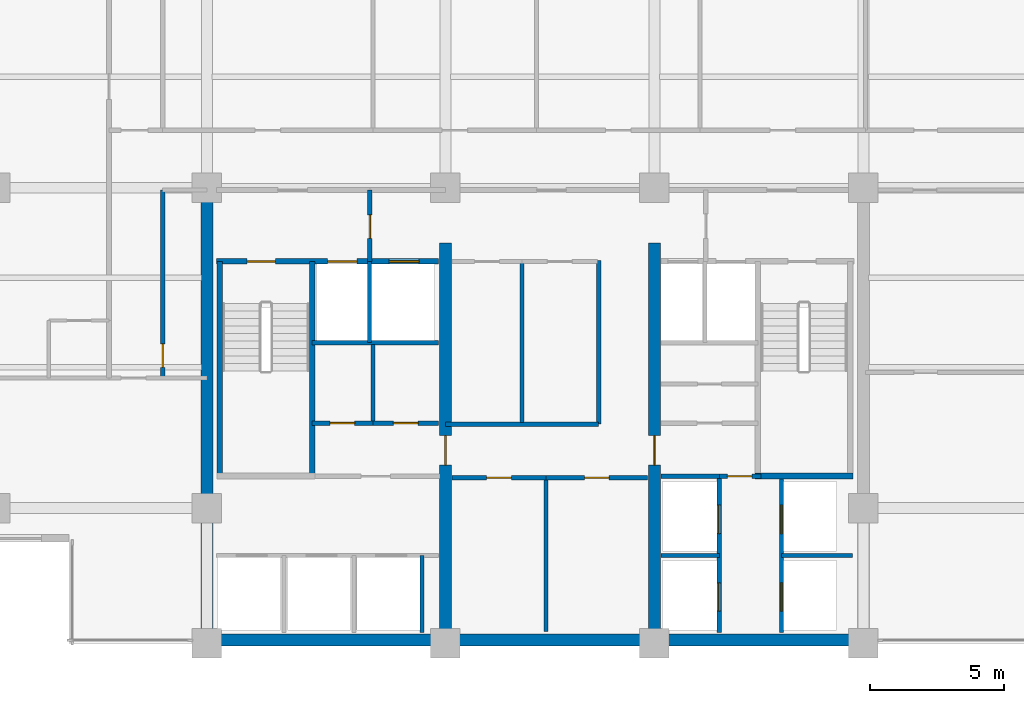
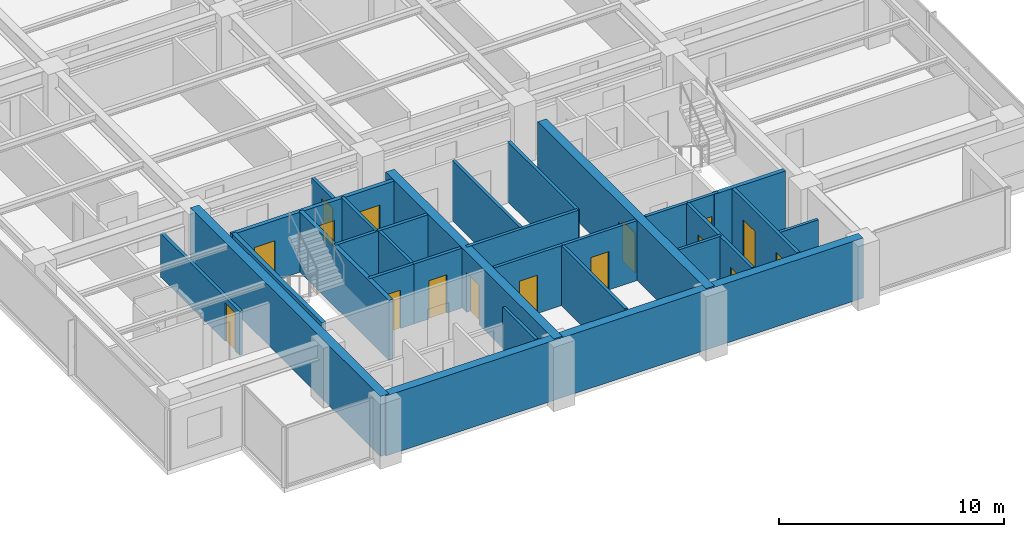
# One storey, part 7 of 14: 28 walls, 16 doors, 16 openings.
"""IFC4 building model written with IfcOpenShell, lengths in metres."""

from ifc_helpers import new_model, si_unit, direction, frame, frame_2d, origin, place, context, subcontext, project, spatial, rectangle, extrude, material, layer, layer_set, type_object, element, fill, save


model = new_model("IFC4")

# Units and contexts
model_context = context("Model", 3, precision=1e-05, world=origin(), true_north=direction((0.0, 1.0)))
body_context = subcontext(model_context, "Body", "Model", "MODEL_VIEW")
ifc_project = project(units=[si_unit("LENGTHUNIT", "METRE"), si_unit("AREAUNIT", "SQUARE_METRE"), si_unit("VOLUMEUNIT", "CUBIC_METRE"), si_unit("PLANEANGLEUNIT", "RADIAN"), si_unit("MASSUNIT", "GRAM", prefix="KILO")], contexts=[model_context])

# Site, building, storey
site_placement = place(None, origin())
site = spatial("IfcSite", under=ifc_project, at=site_placement, CompositionType="ELEMENT")
building_placement = place(site_placement, origin())
building = spatial("IfcBuilding", under=site, at=building_placement, Name="Qalmaran Belvedere Hotel", CompositionType="ELEMENT")
storey_placement = place(building_placement, frame((0.0, 0.0, 177.10009765625)))
storey = spatial("IfcBuildingStorey", under=building, at=storey_placement, Name="L45", CompositionType="ELEMENT", Elevation=177.10009765625)

# Wall
ifc_material_1 = material(Name="Concrete C50/60", Category="concrete")
ifc_layer_1 = layer(ifc_material_1, 0.449951171875, Name="Concrete C50/60")
ifc_layer_set_1 = layer_set([ifc_layer_1], Name="Concrete C50/60")
wall_type_1 = type_object("IfcWallType", Name="WL-CORE-450-C50", PredefinedType="SHEAR", material=ifc_layer_set_1)
wall_1_placement = place(storey_placement, frame((20.300048828125, 3.5, 0.0), z_axis=(0.0, 0.0, 1.0), x_axis=(0.0, 1.0, 0.0)))
element("IfcWall", 1, at=wall_1_placement, inside=storey, type_object=wall_type_1, Name="L45 West Core Shear Wall", PredefinedType="SHEAR", context=body_context, shape_type="SweptSolid", body=[
    extrude(rectangle(XDim=16.89990234375, YDim=0.449951171875, at=frame_2d((8.449951171875, 0.0))), origin(), (0.0, 0.0, 1.0), 3.25),
])

# Wall, opening, door
wall_2_placement = place(storey_placement, frame((29.199951171875, 3.5, 0.0), z_axis=(0.0, 0.0, 1.0), x_axis=(0.0, 1.0, 0.0)))
wall_2 = element("IfcWall", 2, at=wall_2_placement, inside=storey, type_object=wall_type_1, Name="L45 Core West Spine Shear Wall", PredefinedType="SHEAR", context=body_context, shape_type="SweptSolid", body=[
    extrude(rectangle(XDim=14.949951171875, YDim=0.449951171875, at=frame_2d((7.47509765625, 0.0))), origin(), (0.0, 0.0, 1.0), 3.25),
])
opening_1_placement = place(wall_2_placement, frame((7.75, 0.0, 0.0), z_axis=(0.0, 0.0, 1.0), x_axis=(-1.0, 0.0, 0.0)))
opening_1 = element("IfcOpeningElement", 3, at=opening_1_placement, cuts=wall_2, Name="Opening FD90", PredefinedType="OPENING", context=body_context, shape_type="SweptSolid", body=[
    extrude(rectangle(XDim=1.10009765625, YDim=2.14990234375, at=frame_2d((0.550048828125, 1.074951171875))), frame((0.0, 0.23486328125, 0.0), z_axis=(0.0, -1.0, 0.0), x_axis=(1.0, 0.0, 0.0)), (0.0, 0.0, 1.0), 0.469970703125),
])
ifc_material_2 = material(Name="Steel S355JR", Category="steel")
door_type_1 = type_object("IfcDoorType", Name="DR-FD90-1100X2150", OperationType="NOTDEFINED", PredefinedType="DOOR", material=ifc_material_2)
door_1_placement = place(opening_1_placement, origin())
door_1 = element("IfcDoor", 4, at=door_1_placement, inside=storey, type_object=door_type_1, Name="L45 Core West Cross-Lobby Door", OperationType="SINGLE_SWING_RIGHT", OverallHeight=2.14990234375, OverallWidth=1.10009765625, PredefinedType="DOOR", context=body_context, shape_type="SweptSolid", body=[
    extrude(rectangle(XDim=1.10009765625, YDim=2.14990234375, at=frame_2d((0.550048828125, 1.074951171875))), frame((0.0, 0.02490234375, 0.0), z_axis=(0.0, -1.0, 0.0), x_axis=(1.0, 0.0, 0.0)), (0.0, 0.0, 1.0), 0.050048828125),
])
fill(opening_1, door_1)

wall_3_placement = place(storey_placement, frame((37.0, 3.5, 0.0), z_axis=(0.0, 0.0, 1.0), x_axis=(0.0, 1.0, 0.0)))
wall_3 = element("IfcWall", 5, at=wall_3_placement, inside=storey, type_object=wall_type_1, Name="L45 Core East Spine Shear Wall", PredefinedType="SHEAR", context=body_context, shape_type="SweptSolid", body=[
    extrude(rectangle(XDim=14.949951171875, YDim=0.449951171875, at=frame_2d((7.47509765625, 0.0))), origin(), (0.0, 0.0, 1.0), 3.25),
])
opening_2_placement = place(wall_3_placement, frame((6.64990234375, 0.0, 0.0)))
opening_2 = element("IfcOpeningElement", 6, at=opening_2_placement, cuts=wall_3, Name="Opening FD90", PredefinedType="OPENING", context=body_context, shape_type="SweptSolid", body=[
    extrude(rectangle(XDim=1.10009765625, YDim=2.14990234375, at=frame_2d((0.550048828125, 1.074951171875))), frame((0.0, 0.23486328125, 0.0), z_axis=(0.0, -1.0, 0.0), x_axis=(1.0, 0.0, 0.0)), (0.0, 0.0, 1.0), 0.469970703125),
])
door_2_placement = place(opening_2_placement, origin())
door_2 = element("IfcDoor", 7, at=door_2_placement, inside=storey, type_object=door_type_1, Name="L45 Core East Cross-Lobby Door", OperationType="SINGLE_SWING_LEFT", OverallHeight=2.14990234375, OverallWidth=1.10009765625, PredefinedType="DOOR", context=body_context, shape_type="SweptSolid", body=[
    extrude(rectangle(XDim=1.10009765625, YDim=2.14990234375, at=frame_2d((0.550048828125, 1.074951171875))), frame((0.0, 0.02490234375, 0.0), z_axis=(0.0, -1.0, 0.0), x_axis=(1.0, 0.0, 0.0)), (0.0, 0.0, 1.0), 0.050048828125),
])
fill(opening_2, door_2)

# Walls
ifc_layer_2 = layer(ifc_material_1, 0.43994140625, Name="Concrete C50/60")
ifc_layer_set_2 = layer_set([ifc_layer_2], Name="Concrete C50/60")
wall_type_2 = type_object("IfcWallType", Name="WL-CORES-440-EXT", PredefinedType="SHEAR", material=ifc_layer_set_2)
wall_4_placement = place(storey_placement, frame((20.300048828125, 3.6298828125, 0.0), z_axis=(0.0, 0.0, 1.0), x_axis=(1.0, 0.0, 0.0)))
element("IfcWall", 8, at=wall_4_placement, inside=storey, type_object=wall_type_2, Name="L45 South Core Shear Wall", PredefinedType="SHEAR", context=body_context, shape_type="SweptSolid", body=[
    extrude(rectangle(XDim=24.5, YDim=0.43994140625, at=frame_2d((12.25, 0.0))), origin(), (0.0, 0.0, 1.0), 3.25),
])
ifc_material_3 = material(Name="Gypsum Stud Partition")
ifc_layer_3 = layer(ifc_material_3, 0.14990234375, Name="Gypsum Stud Partition")
ifc_layer_set_3 = layer_set([ifc_layer_3], Name="Gypsum Stud Partition")
wall_type_3 = type_object("IfcWallType", Name="WL-INT-150-EI120", PredefinedType="PARTITIONING", material=ifc_layer_set_3)
wall_5_placement = place(storey_placement, frame((26.360107421875, 14.719970703125, 0.0), z_axis=(0.0, 0.0, 1.0), x_axis=(0.0, 1.0, 0.0)))
element("IfcWall", 9, at=wall_5_placement, inside=storey, type_object=wall_type_3, Name="L45 Partition WL-FF1M-L45", PredefinedType="PARTITIONING", context=body_context, shape_type="SweptSolid", body=[
    extrude(rectangle(XDim=3.0400390625, YDim=0.14990234375, at=frame_2d((1.52001953125, 0.0))), origin(), (0.0, 0.0, 1.0), 3.25),
])
wall_6_placement = place(storey_placement, frame((28.320068359375, 3.89990234375, 0.0), z_axis=(0.0, 0.0, 1.0), x_axis=(0.0, 1.0, 0.0)))
element("IfcWall", 10, at=wall_6_placement, inside=storey, type_object=wall_type_3, Name="L45 Partition WL-POM3-L45", PredefinedType="PARTITIONING", context=body_context, shape_type="SweptSolid", body=[
    extrude(rectangle(XDim=2.880126953125, YDim=0.14990234375, at=frame_2d((1.43994140625, 0.0))), origin(), (0.0, 0.0, 1.0), 3.25),
])
wall_7_placement = place(storey_placement, frame((37.25, 6.780029296875, 0.0), z_axis=(0.0, 0.0, 1.0), x_axis=(1.0, 0.0, 0.0)))
element("IfcWall", 11, at=wall_7_placement, inside=storey, type_object=wall_type_3, Name="L45 Partition WL-PHMW-L45", PredefinedType="PARTITIONING", context=body_context, shape_type="SweptSolid", body=[
    extrude(rectangle(XDim=2.169921875, YDim=0.14990234375, at=frame_2d((1.0849609375, 0.0))), origin(), (0.0, 0.0, 1.0), 3.25),
])
wall_8_placement = place(storey_placement, frame((41.739990234375, 6.780029296875, 0.0), z_axis=(0.0, 0.0, 1.0), x_axis=(1.0, 0.0, 0.0)))
element("IfcWall", 12, at=wall_8_placement, inside=storey, type_object=wall_type_3, Name="L45 Partition WL-PHME-L45", PredefinedType="PARTITIONING", context=body_context, shape_type="SweptSolid", body=[
    extrude(rectangle(XDim=2.659912109375, YDim=0.14990234375, at=frame_2d((1.330078125, 0.0))), origin(), (0.0, 0.0, 1.0), 2.3798828125),
])
ifc_layer_4 = layer(ifc_material_3, 0.14990234375, Name="Gypsum Stud Partition")
ifc_layer_set_4 = layer_set([ifc_layer_4], Name="Gypsum Stud Partition")
wall_type_4 = type_object("IfcWallType", Name="WL-INT-150-EI60", PredefinedType="PARTITIONING", material=ifc_layer_set_4)
wall_9_placement = place(storey_placement, frame((26.490478515625, 11.719970703125, 0.0), z_axis=(0.0, 0.0, 1.0), x_axis=(0.0, 1.0, 0.0)))
element("IfcWall", 13, at=wall_9_placement, inside=storey, type_object=wall_type_4, Name="L45 Partition WL-L45-KWV1", PredefinedType="PARTITIONING", context=body_context, shape_type="SweptSolid", body=[
    extrude(rectangle(XDim=2.929931640625, YDim=0.14990234375, at=frame_2d((1.46484375, 0.0))), origin(), (0.0, 0.0, 1.0), 3.25),
])
wall_10_placement = place(storey_placement, frame((32.9541015625, 3.949951171875, 0.0), z_axis=(0.0, 0.0, 1.0), x_axis=(0.0, 1.0, 0.0)))
element("IfcWall", 14, at=wall_10_placement, inside=storey, type_object=wall_type_4, Name="L45 Partition WL-L45-KPLV1", PredefinedType="PARTITIONING", context=body_context, shape_type="SweptSolid", body=[
    extrude(rectangle(XDim=5.72998046875, YDim=0.14990234375, at=frame_2d((2.864990234375, 0.0))), origin(), (0.0, 0.0, 1.0), 3.25),
])
wall_11_placement = place(storey_placement, frame((32.056396484375, 11.739990234375, 0.0), z_axis=(0.0, 0.0, 1.0), x_axis=(0.0, 1.0, 0.0)))
element("IfcWall", 15, at=wall_11_placement, inside=storey, type_object=wall_type_4, Name="L45 Partition WL-L45-KPMV1", PredefinedType="PARTITIONING", context=body_context, shape_type="SweptSolid", body=[
    extrude(rectangle(XDim=6.010009765625, YDim=0.14990234375, at=frame_2d((3.0048828125, 0.0))), origin(), (0.0, 0.0, 1.0), 3.25),
])

# Wall, opening, door
ifc_layer_5 = layer(ifc_material_3, 0.159912109375, Name="Gypsum Stud Partition")
ifc_layer_set_5 = layer_set([ifc_layer_5], Name="Gypsum Stud Partition")
wall_type_5 = type_object("IfcWallType", Name="WL-INT-160-EI120", PredefinedType="PARTITIONING", material=ifc_layer_set_5)
wall_12_placement = place(storey_placement, frame((26.3798828125, 17.760009765625, 0.0), z_axis=(0.0, 0.0, 1.0), x_axis=(0.0, 1.0, 0.0)))
wall_12 = element("IfcWall", 16, at=wall_12_placement, inside=storey, type_object=wall_type_5, Name="L45 Partition WL-FFSV1-L45", PredefinedType="PARTITIONING", context=body_context, shape_type="SweptSolid", body=[
    extrude(rectangle(XDim=2.659912109375, YDim=0.159912109375, at=frame_2d((1.330078125, 0.0))), origin(), (0.0, 0.0, 1.0), 2.69189453125),
])
opening_3_placement = place(wall_12_placement, frame((0.85009765625, 0.0, 0.0)))
opening_3 = element("IfcOpeningElement", 17, at=opening_3_placement, cuts=wall_12, Name="Opening FD60B", PredefinedType="OPENING", context=body_context, shape_type="SweptSolid", body=[
    extrude(rectangle(XDim=0.8798828125, YDim=2.080078125, at=frame_2d((0.43994140625, 1.0400390625))), frame((0.0, 0.08984375, 0.0), z_axis=(0.0, -1.0, 0.0), x_axis=(1.0, 0.0, 0.0)), (0.0, 0.0, 1.0), 0.179931640625),
])
door_type_2 = type_object("IfcDoorType", Name="DR-FD60B-880X2080", OperationType="NOTDEFINED", PredefinedType="DOOR", material=ifc_material_2)
door_3_placement = place(opening_3_placement, origin())
door_3 = element("IfcDoor", 18, at=door_3_placement, inside=storey, type_object=door_type_2, Name="L45 Service Lobby West Door", OperationType="SINGLE_SWING_RIGHT", OverallHeight=2.080078125, OverallWidth=0.8798828125, PredefinedType="DOOR", context=body_context, shape_type="SweptSolid", body=[
    extrude(rectangle(XDim=0.8798828125, YDim=2.080078125, at=frame_2d((0.43994140625, 1.0400390625))), frame((0.0, 0.02490234375, 0.0), z_axis=(0.0, -1.0, 0.0), x_axis=(1.0, 0.0, 0.0)), (0.0, 0.0, 1.0), 0.050048828125),
])
fill(opening_3, door_3)

# Wall
wall_13_placement = place(storey_placement, frame((24.219970703125, 14.719970703125, 0.0), z_axis=(0.0, 0.0, 1.0), x_axis=(1.0, 0.0, 0.0)))
element("IfcWall", 19, at=wall_13_placement, inside=storey, type_object=wall_type_5, Name="L45 Partition WL-FF1S-L45", PredefinedType="PARTITIONING", context=body_context, shape_type="SweptSolid", body=[
    extrude(rectangle(XDim=4.72998046875, YDim=0.159912109375, at=frame_2d((2.364990234375, 0.0))), origin(), (0.0, 0.0, 1.0), 3.25),
])

# Wall, openings, doors
wall_14_placement = place(storey_placement, frame((39.419921875, 3.89990234375, 0.0), z_axis=(0.0, 0.0, 1.0), x_axis=(0.0, 1.0, 0.0)))
wall_14 = element("IfcWall", 20, at=wall_14_placement, inside=storey, type_object=wall_type_5, Name="L45 Partition WL-PHW-L45", PredefinedType="PARTITIONING", context=body_context, shape_type="SweptSolid", body=[
    extrude(rectangle(XDim=5.840087890625, YDim=0.159912109375, at=frame_2d((2.919921875, 0.0))), origin(), (0.0, 0.0, 1.0), 3.25),
])
opening_4_placement = place(wall_14_placement, frame((1.860107421875, 0.0, 0.0), z_axis=(0.0, 0.0, 1.0), x_axis=(-1.0, 0.0, 0.0)))
opening_4 = element("IfcOpeningElement", 21, at=opening_4_placement, cuts=wall_14, Name="Opening LD-P2", PredefinedType="OPENING", context=body_context, shape_type="SweptSolid", body=[
    extrude(rectangle(XDim=1.06005859375, YDim=2.159912109375, at=frame_2d((0.530029296875, 1.080078125))), frame((0.0, 0.08984375, 0.0), z_axis=(0.0, -1.0, 0.0), x_axis=(1.0, 0.0, 0.0)), (0.0, 0.0, 1.0), 0.179931640625),
])
opening_5_placement = place(wall_14_placement, frame((4.760009765625, 0.0, 0.0), z_axis=(0.0, 0.0, 1.0), x_axis=(-1.0, 0.0, 0.0)))
opening_5 = element("IfcOpeningElement", 22, at=opening_5_placement, cuts=wall_14, Name="Opening LD-P2", PredefinedType="OPENING", context=body_context, shape_type="SweptSolid", body=[
    extrude(rectangle(XDim=1.06005859375, YDim=2.159912109375, at=frame_2d((0.530029296875, 1.080078125))), frame((0.0, 0.08984375, 0.0), z_axis=(0.0, -1.0, 0.0), x_axis=(1.0, 0.0, 0.0)), (0.0, 0.0, 1.0), 0.179931640625),
])
ifc_material_4 = material(Name="Stainless Steel 1.4401", Category="steel")
door_type_3 = type_object("IfcDoorType", Name="DR-LIFT-P2-1060X2160", OperationType="DOUBLE_DOOR_SLIDING", PredefinedType="DOOR", material=ifc_material_4)
door_4_placement = place(opening_4_placement, origin())
door_4 = element("IfcDoor", 23, at=door_4_placement, inside=storey, type_object=door_type_3, Name="L45 PH1 Lift Landing Door", OperationType="DOUBLE_DOOR_SLIDING", OverallHeight=2.159912109375, OverallWidth=1.06005859375, PredefinedType="DOOR", context=body_context, shape_type="SweptSolid", body=[
    extrude(rectangle(XDim=1.06005859375, YDim=2.159912109375, at=frame_2d((0.530029296875, 1.080078125))), frame((0.0, 0.02490234375, 0.0), z_axis=(0.0, -1.0, 0.0), x_axis=(1.0, 0.0, 0.0)), (0.0, 0.0, 1.0), 0.050048828125),
])
fill(opening_4, door_4)
door_5_placement = place(opening_5_placement, origin())
door_5 = element("IfcDoor", 24, at=door_5_placement, inside=storey, type_object=door_type_3, Name="L45 PH2 Lift Landing Door", OperationType="DOUBLE_DOOR_SLIDING", OverallHeight=2.159912109375, OverallWidth=1.06005859375, PredefinedType="DOOR", context=body_context, shape_type="SweptSolid", body=[
    extrude(rectangle(XDim=1.06005859375, YDim=2.159912109375, at=frame_2d((0.530029296875, 1.080078125))), frame((0.0, 0.02490234375, 0.0), z_axis=(0.0, -1.0, 0.0), x_axis=(1.0, 0.0, 0.0)), (0.0, 0.0, 1.0), 0.050048828125),
])
fill(opening_5, door_5)

wall_15_placement = place(storey_placement, frame((41.739990234375, 3.89990234375, 0.0), z_axis=(0.0, 0.0, 1.0), x_axis=(0.0, 1.0, 0.0)))
wall_15 = element("IfcWall", 25, at=wall_15_placement, inside=storey, type_object=wall_type_5, Name="L45 Partition WL-PHE-L45", PredefinedType="PARTITIONING", context=body_context, shape_type="SweptSolid", body=[
    extrude(rectangle(XDim=5.840087890625, YDim=0.159912109375, at=frame_2d((2.919921875, 0.0))), origin(), (0.0, 0.0, 1.0), 3.25),
])
opening_6_placement = place(wall_15_placement, frame((0.800048828125, 0.0, 0.0)))
opening_6 = element("IfcOpeningElement", 26, at=opening_6_placement, cuts=wall_15, Name="Opening LD-P2", PredefinedType="OPENING", context=body_context, shape_type="SweptSolid", body=[
    extrude(rectangle(XDim=1.06005859375, YDim=2.159912109375, at=frame_2d((0.530029296875, 1.080078125))), frame((0.0, 0.08984375, 0.0), z_axis=(0.0, -1.0, 0.0), x_axis=(1.0, 0.0, 0.0)), (0.0, 0.0, 1.0), 0.179931640625),
])
opening_7_placement = place(wall_15_placement, frame((3.699951171875, 0.0, 0.0)))
opening_7 = element("IfcOpeningElement", 27, at=opening_7_placement, cuts=wall_15, Name="Opening LD-P2", PredefinedType="OPENING", context=body_context, shape_type="SweptSolid", body=[
    extrude(rectangle(XDim=1.06005859375, YDim=2.159912109375, at=frame_2d((0.530029296875, 1.080078125))), frame((0.0, 0.08984375, 0.0), z_axis=(0.0, -1.0, 0.0), x_axis=(1.0, 0.0, 0.0)), (0.0, 0.0, 1.0), 0.179931640625),
])
door_6_placement = place(opening_6_placement, origin())
door_6 = element("IfcDoor", 28, at=door_6_placement, inside=storey, type_object=door_type_3, Name="L45 PH3 Lift Landing Door", OperationType="DOUBLE_DOOR_SLIDING", OverallHeight=2.159912109375, OverallWidth=1.06005859375, PredefinedType="DOOR", context=body_context, shape_type="SweptSolid", body=[
    extrude(rectangle(XDim=1.06005859375, YDim=2.159912109375, at=frame_2d((0.530029296875, 1.080078125))), frame((0.0, 0.02490234375, 0.0), z_axis=(0.0, -1.0, 0.0), x_axis=(1.0, 0.0, 0.0)), (0.0, 0.0, 1.0), 0.050048828125),
])
fill(opening_6, door_6)
door_7_placement = place(opening_7_placement, origin())
door_7 = element("IfcDoor", 29, at=door_7_placement, inside=storey, type_object=door_type_3, Name="L45 PH4 Lift Landing Door", OperationType="DOUBLE_DOOR_SLIDING", OverallHeight=2.159912109375, OverallWidth=1.06005859375, PredefinedType="DOOR", context=body_context, shape_type="SweptSolid", body=[
    extrude(rectangle(XDim=1.06005859375, YDim=2.159912109375, at=frame_2d((0.530029296875, 1.080078125))), frame((0.0, 0.02490234375, 0.0), z_axis=(0.0, -1.0, 0.0), x_axis=(1.0, 0.0, 0.0)), (0.0, 0.0, 1.0), 0.050048828125),
])
fill(opening_7, door_7)

# Wall
wall_16_placement = place(storey_placement, frame((37.25, 9.739990234375, 0.0), z_axis=(0.0, 0.0, 1.0), x_axis=(1.0, 0.0, 0.0)))
element("IfcWall", 30, at=wall_16_placement, inside=storey, type_object=wall_type_5, Name="L45 Partition WL-PHNW-L45", PredefinedType="PARTITIONING", context=body_context, shape_type="SweptSolid", body=[
    extrude(rectangle(XDim=2.169921875, YDim=0.159912109375, at=frame_2d((1.0849609375, 0.0))), origin(), (0.0, 0.0, 1.0), 3.25),
])

# Wall, opening, door
wall_17_placement = place(storey_placement, frame((39.419921875, 9.739990234375, 0.0), z_axis=(0.0, 0.0, 1.0), x_axis=(1.0, 0.0, 0.0)))
wall_17 = element("IfcWall", 31, at=wall_17_placement, inside=storey, type_object=wall_type_5, Name="L45 Partition WL-PHNL-L45", PredefinedType="PARTITIONING", context=body_context, shape_type="SweptSolid", body=[
    extrude(rectangle(XDim=1.56005859375, YDim=0.159912109375, at=frame_2d((0.780029296875, 0.0))), origin(), (0.0, 0.0, 1.0), 3.25),
])
opening_8_placement = place(wall_17_placement, frame((0.300048828125, 0.0, 0.0)))
opening_8 = element("IfcOpeningElement", 32, at=opening_8_placement, cuts=wall_17, Name="Opening FD60S1", PredefinedType="OPENING", context=body_context, shape_type="SweptSolid", body=[
    extrude(rectangle(XDim=0.919921875, YDim=2.080078125, at=frame_2d((0.4599609375, 1.0400390625))), frame((0.0, 0.08984375, 0.0), z_axis=(0.0, -1.0, 0.0), x_axis=(1.0, 0.0, 0.0)), (0.0, 0.0, 1.0), 0.179931640625),
])
ifc_material_5 = material(Name="Engineered Oak Veneer")
door_type_4 = type_object("IfcDoorType", Name="DR-FD60S-920X2080", OperationType="NOTDEFINED", PredefinedType="DOOR", material=ifc_material_5)
door_8_placement = place(opening_8_placement, origin())
door_8 = element("IfcDoor", 33, at=door_8_placement, inside=storey, type_object=door_type_4, Name="L45 High-Rise Lift Lobby Passage Door", OperationType="SINGLE_SWING_RIGHT", OverallHeight=2.080078125, OverallWidth=0.919921875, PredefinedType="DOOR", context=body_context, shape_type="SweptSolid", body=[
    extrude(rectangle(XDim=0.919921875, YDim=2.080078125, at=frame_2d((0.4599609375, 1.0400390625))), frame((0.0, 0.02490234375, 0.0), z_axis=(0.0, -1.0, 0.0), x_axis=(1.0, 0.0, 0.0)), (0.0, 0.0, 1.0), 0.050048828125),
])
fill(opening_8, door_8)

ifc_layer_6 = layer(ifc_material_3, 0.159912109375, Name="Gypsum Stud Partition")
ifc_layer_set_6 = layer_set([ifc_layer_6], Name="Gypsum Stud Partition")
wall_type_6 = type_object("IfcWallType", Name="WL-INT-160-EI60", PredefinedType="PARTITIONING", material=ifc_layer_set_6)
wall_18_placement = place(storey_placement, frame((24.219970703125, 11.719970703125, 0.0), z_axis=(0.0, 0.0, 1.0), x_axis=(1.0, 0.0, 0.0)))
wall_18 = element("IfcWall", 34, at=wall_18_placement, inside=storey, type_object=wall_type_6, Name="L45 Partition WL-L45-KWE1", PredefinedType="PARTITIONING", context=body_context, shape_type="SweptSolid", body=[
    extrude(rectangle(XDim=2.2705078125, YDim=0.159912109375, at=frame_2d((1.13525390625, 0.0))), origin(), (0.0, 0.0, 1.0), 3.25),
])
opening_9_placement = place(wall_18_placement, frame((0.67529296875, 0.0, 0.0)))
opening_9 = element("IfcOpeningElement", 35, at=opening_9_placement, cuts=wall_18, Name="Opening FD60S1", PredefinedType="OPENING", context=body_context, shape_type="SweptSolid", body=[
    extrude(rectangle(XDim=0.919921875, YDim=2.080078125, at=frame_2d((0.4599609375, 1.0400390625))), frame((0.0, 0.08984375, 0.0), z_axis=(0.0, -1.0, 0.0), x_axis=(1.0, 0.0, 0.0)), (0.0, 0.0, 1.0), 0.179931640625),
])
door_9_placement = place(opening_9_placement, origin())
door_9 = element("IfcDoor", 36, at=door_9_placement, inside=storey, type_object=door_type_4, Name="L45 Telecom and IT Room Door", OperationType="SINGLE_SWING_LEFT", OverallHeight=2.080078125, OverallWidth=0.919921875, PredefinedType="DOOR", context=body_context, shape_type="SweptSolid", body=[
    extrude(rectangle(XDim=0.919921875, YDim=2.080078125, at=frame_2d((0.4599609375, 1.0400390625))), frame((0.0, 0.02490234375, 0.0), z_axis=(0.0, -1.0, 0.0), x_axis=(1.0, 0.0, 0.0)), (0.0, 0.0, 1.0), 0.050048828125),
])
fill(opening_9, door_9)

wall_19_placement = place(storey_placement, frame((26.490478515625, 11.719970703125, 0.0), z_axis=(0.0, 0.0, 1.0), x_axis=(1.0, 0.0, 0.0)))
wall_19 = element("IfcWall", 37, at=wall_19_placement, inside=storey, type_object=wall_type_6, Name="L45 Partition WL-L45-KWE2", PredefinedType="PARTITIONING", context=body_context, shape_type="SweptSolid", body=[
    extrude(rectangle(XDim=2.45947265625, YDim=0.159912109375, at=frame_2d((1.229736328125, 0.0))), origin(), (0.0, 0.0, 1.0), 3.25),
])
opening_10_placement = place(wall_19_placement, frame((0.769775390625, 0.0, 0.0)))
opening_10 = element("IfcOpeningElement", 38, at=opening_10_placement, cuts=wall_19, Name="Opening FD60S1", PredefinedType="OPENING", context=body_context, shape_type="SweptSolid", body=[
    extrude(rectangle(XDim=0.919921875, YDim=2.080078125, at=frame_2d((0.4599609375, 1.0400390625))), frame((0.0, 0.08984375, 0.0), z_axis=(0.0, -1.0, 0.0), x_axis=(1.0, 0.0, 0.0)), (0.0, 0.0, 1.0), 0.179931640625),
])
door_10_placement = place(opening_10_placement, origin())
door_10 = element("IfcDoor", 39, at=door_10_placement, inside=storey, type_object=door_type_4, Name="L45 Cleaner Supply Store Door", OperationType="SINGLE_SWING_RIGHT", OverallHeight=2.080078125, OverallWidth=0.919921875, PredefinedType="DOOR", context=body_context, shape_type="SweptSolid", body=[
    extrude(rectangle(XDim=0.919921875, YDim=2.080078125, at=frame_2d((0.4599609375, 1.0400390625))), frame((0.0, 0.02490234375, 0.0), z_axis=(0.0, -1.0, 0.0), x_axis=(1.0, 0.0, 0.0)), (0.0, 0.0, 1.0), 0.050048828125),
])
fill(opening_10, door_10)

# Wall
wall_20_placement = place(storey_placement, frame((34.919921875, 11.679931640625, 0.0), z_axis=(0.0, 0.0, 1.0), x_axis=(0.0, 1.0, 0.0)))
element("IfcWall", 40, at=wall_20_placement, inside=storey, type_object=wall_type_6, Name="L45 Partition WL-CLLV-L45", PredefinedType="PARTITIONING", context=body_context, shape_type="SweptSolid", body=[
    extrude(rectangle(XDim=6.10009765625, YDim=0.159912109375, at=frame_2d((3.050048828125, 0.0))), origin(), (0.0, 0.0, 1.0), 3.25),
])

# Wall, opening, door
wall_21_placement = place(storey_placement, frame((29.449951171875, 9.679931640625, 0.0), z_axis=(0.0, 0.0, 1.0), x_axis=(1.0, 0.0, 0.0)))
wall_21 = element("IfcWall", 41, at=wall_21_placement, inside=storey, type_object=wall_type_6, Name="L45 Partition WL-L45-KPLE1", PredefinedType="PARTITIONING", context=body_context, shape_type="SweptSolid", body=[
    extrude(rectangle(XDim=3.504150390625, YDim=0.159912109375, at=frame_2d((1.751953125, 0.0))), origin(), (0.0, 0.0, 1.0), 3.25),
])
opening_11_placement = place(wall_21_placement, frame((2.2119140625, 0.0, 0.0), z_axis=(0.0, 0.0, 1.0), x_axis=(-1.0, 0.0, 0.0)))
opening_11 = element("IfcOpeningElement", 42, at=opening_11_placement, cuts=wall_21, Name="Opening FD60S1", PredefinedType="OPENING", context=body_context, shape_type="SweptSolid", body=[
    extrude(rectangle(XDim=0.919921875, YDim=2.080078125, at=frame_2d((0.4599609375, 1.0400390625))), frame((0.0, 0.08984375, 0.0), z_axis=(0.0, -1.0, 0.0), x_axis=(1.0, 0.0, 0.0)), (0.0, 0.0, 1.0), 0.179931640625),
])
door_11_placement = place(opening_11_placement, origin())
door_11 = element("IfcDoor", 43, at=door_11_placement, inside=storey, type_object=door_type_4, Name="L45 Hotel Butler Service Pantry Door", OperationType="SINGLE_SWING_LEFT", OverallHeight=2.080078125, OverallWidth=0.919921875, PredefinedType="DOOR", context=body_context, shape_type="SweptSolid", body=[
    extrude(rectangle(XDim=0.919921875, YDim=2.080078125, at=frame_2d((0.4599609375, 1.0400390625))), frame((0.0, 0.02490234375, 0.0), z_axis=(0.0, -1.0, 0.0), x_axis=(1.0, 0.0, 0.0)), (0.0, 0.0, 1.0), 0.050048828125),
])
fill(opening_11, door_11)

wall_22_placement = place(storey_placement, frame((32.9541015625, 9.679931640625, 0.0), z_axis=(0.0, 0.0, 1.0), x_axis=(1.0, 0.0, 0.0)))
wall_22 = element("IfcWall", 44, at=wall_22_placement, inside=storey, type_object=wall_type_6, Name="L45 Partition WL-L45-KPLE2", PredefinedType="PARTITIONING", context=body_context, shape_type="SweptSolid", body=[
    extrude(rectangle(XDim=3.7958984375, YDim=0.159912109375, at=frame_2d((1.89794921875, 0.0))), origin(), (0.0, 0.0, 1.0), 3.25),
])
opening_12_placement = place(wall_22_placement, frame((2.35791015625, 0.0, 0.0), z_axis=(0.0, 0.0, 1.0), x_axis=(-1.0, 0.0, 0.0)))
opening_12 = element("IfcOpeningElement", 45, at=opening_12_placement, cuts=wall_22, Name="Opening FD60S1", PredefinedType="OPENING", context=body_context, shape_type="SweptSolid", body=[
    extrude(rectangle(XDim=0.919921875, YDim=2.080078125, at=frame_2d((0.4599609375, 1.0400390625))), frame((0.0, 0.08984375, 0.0), z_axis=(0.0, -1.0, 0.0), x_axis=(1.0, 0.0, 0.0)), (0.0, 0.0, 1.0), 0.179931640625),
])
door_12_placement = place(opening_12_placement, origin())
door_12 = element("IfcDoor", 46, at=door_12_placement, inside=storey, type_object=door_type_4, Name="L45 Guest Valet Supply Store Door", OperationType="SINGLE_SWING_RIGHT", OverallHeight=2.080078125, OverallWidth=0.919921875, PredefinedType="DOOR", context=body_context, shape_type="SweptSolid", body=[
    extrude(rectangle(XDim=0.919921875, YDim=2.080078125, at=frame_2d((0.4599609375, 1.0400390625))), frame((0.0, 0.02490234375, 0.0), z_axis=(0.0, -1.0, 0.0), x_axis=(1.0, 0.0, 0.0)), (0.0, 0.0, 1.0), 0.050048828125),
])
fill(opening_12, door_12)

# Wall
wall_23_placement = place(storey_placement, frame((29.199951171875, 11.679931640625, 0.0), z_axis=(0.0, 0.0, 1.0), x_axis=(1.0, 0.0, 0.0)))
element("IfcWall", 47, at=wall_23_placement, inside=storey, type_object=wall_type_6, Name="L45 Partition WL-PMFS-L45", PredefinedType="PARTITIONING", context=body_context, shape_type="SweptSolid", body=[
    extrude(rectangle(XDim=5.719970703125, YDim=0.159912109375, at=frame_2d((2.85986328125, 0.0))), origin(), (0.0, 0.0, 1.0), 3.25),
])

# Wall, opening, door
wall_24_placement = place(storey_placement, frame((18.64990234375, 13.39990234375, 0.0), z_axis=(0.0, 0.0, 1.0), x_axis=(0.0, 1.0, 0.0)))
wall_24 = element("IfcWall", 48, at=wall_24_placement, inside=storey, type_object=wall_type_6, Name="L45 Partition WL-L45-WCL", PredefinedType="PARTITIONING", context=body_context, shape_type="SweptSolid", body=[
    extrude(rectangle(XDim=7.02001953125, YDim=0.159912109375, at=frame_2d((3.510009765625, 0.0))), origin(), (0.0, 0.0, 1.0), 2.3798828125),
])
opening_13_placement = place(wall_24_placement, frame((1.27978515625, 0.0, 0.0), z_axis=(0.0, 0.0, 1.0), x_axis=(-1.0, 0.0, 0.0)))
opening_13 = element("IfcOpeningElement", 49, at=opening_13_placement, cuts=wall_24, Name="Opening FD60B", PredefinedType="OPENING", context=body_context, shape_type="SweptSolid", body=[
    extrude(rectangle(XDim=0.8798828125, YDim=2.080078125, at=frame_2d((0.43994140625, 1.0400390625))), frame((0.0, 0.08984375, 0.0), z_axis=(0.0, -1.0, 0.0), x_axis=(1.0, 0.0, 0.0)), (0.0, 0.0, 1.0), 0.179931640625),
])
door_13_placement = place(opening_13_placement, origin())
door_13 = element("IfcDoor", 50, at=door_13_placement, inside=storey, type_object=door_type_2, Name="L45 West Closet Door", OperationType="SINGLE_SWING_LEFT", OverallHeight=2.080078125, OverallWidth=0.8798828125, PredefinedType="DOOR", context=body_context, shape_type="SweptSolid", body=[
    extrude(rectangle(XDim=0.8798828125, YDim=2.080078125, at=frame_2d((0.43994140625, 1.0400390625))), frame((0.0, 0.02490234375, 0.0), z_axis=(0.0, -1.0, 0.0), x_axis=(1.0, 0.0, 0.0)), (0.0, 0.0, 1.0), 0.050048828125),
])
fill(opening_13, door_13)

# Walls
ifc_layer_7 = layer(ifc_material_1, 0.2099609375, Name="Concrete C50/60")
ifc_layer_set_7 = layer_set([ifc_layer_7], Name="Concrete C50/60")
wall_type_7 = type_object("IfcWallType", Name="WL-STAIR-210-C50", PredefinedType="SHEAR", material=ifc_layer_set_7)
for number, where, z_axis, x_axis, name in (
    (51, (20.77490234375, 9.7451171875, 0.0), (0.0, 0.0, 1.0), (0.0, 1.0, 0.0), "L45 Stair ST-1 West Bearing Wall"),
    (52, (24.22509765625, 9.7451171875, 0.0), (0.0, 0.0, 1.0), (0.0, 1.0, 0.0), "L45 Stair ST-1 East Bearing Wall"),
):
    element("IfcWall", number, at=place(storey_placement, frame(where, z_axis=z_axis, x_axis=x_axis)), inside=storey, type_object=wall_type_7, Name=name, PredefinedType="SHEAR", context=body_context, shape_type="SweptSolid", body=[
        extrude(rectangle(XDim=8.009765625, YDim=0.2099609375, at=frame_2d((4.0048828125, 0.0))), origin(), (0.0, 0.0, 1.0), 3.25),
    ])

# Wall, openings, doors
wall_25_placement = place(storey_placement, frame((20.64990234375, 17.7548828125, 0.0), z_axis=(0.0, 0.0, 1.0), x_axis=(1.0, 0.0, 0.0)))
wall_25 = element("IfcWall", 53, at=wall_25_placement, inside=storey, type_object=wall_type_7, Name="L45 West Lobby and Stair ST-1 North Bearing Wall", PredefinedType="SHEAR", context=body_context, shape_type="SweptSolid", body=[
    extrude(rectangle(XDim=8.300048828125, YDim=0.2099609375, at=frame_2d((4.14990234375, 0.0))), origin(), (0.0, 0.0, 1.0), 3.25),
])
opening_14_placement = place(wall_25_placement, frame((2.199951171875, 0.0, 0.0), z_axis=(0.0, 0.0, 1.0), x_axis=(-1.0, 0.0, 0.0)))
opening_14 = element("IfcOpeningElement", 54, at=opening_14_placement, cuts=wall_25, Name="Opening FD90S2", PredefinedType="OPENING", context=body_context, shape_type="SweptSolid", body=[
    extrude(rectangle(XDim=1.050048828125, YDim=2.14990234375, at=frame_2d((0.52490234375, 1.074951171875))), frame((0.0, 0.114990234375, 0.0), z_axis=(0.0, -1.0, 0.0), x_axis=(1.0, 0.0, 0.0)), (0.0, 0.0, 1.0), 0.22998046875),
])
opening_15_placement = place(wall_25_placement, frame((4.14990234375, 0.0, 0.0)))
opening_15 = element("IfcOpeningElement", 55, at=opening_15_placement, cuts=wall_25, Name="Opening LD-FF", PredefinedType="OPENING", context=body_context, shape_type="SweptSolid", body=[
    extrude(rectangle(XDim=1.10009765625, YDim=2.179931640625, at=frame_2d((0.550048828125, 1.08984375))), frame((0.0, 0.114990234375, 0.0), z_axis=(0.0, -1.0, 0.0), x_axis=(1.0, 0.0, 0.0)), (0.0, 0.0, 1.0), 0.22998046875),
])
opening_16_placement = place(wall_25_placement, frame((6.449951171875, 0.0, 0.0)))
opening_16 = element("IfcOpeningElement", 56, at=opening_16_placement, cuts=wall_25, Name="Opening LD-SV", PredefinedType="OPENING", context=body_context, shape_type="SweptSolid", body=[
    extrude(rectangle(XDim=1.1201171875, YDim=2.199951171875, at=frame_2d((0.56005859375, 1.10009765625))), frame((0.0, 0.114990234375, 0.0), z_axis=(0.0, -1.0, 0.0), x_axis=(1.0, 0.0, 0.0)), (0.0, 0.0, 1.0), 0.22998046875),
])
door_type_5 = type_object("IfcDoorType", Name="DR-FD90S-1050X2150", OperationType="NOTDEFINED", PredefinedType="DOOR", material=ifc_material_2)
door_14_placement = place(opening_14_placement, origin())
door_14 = element("IfcDoor", 57, at=door_14_placement, inside=storey, type_object=door_type_5, Name="L45 Stair ST-1 Door", OperationType="SINGLE_SWING_RIGHT", OverallHeight=2.14990234375, OverallWidth=1.050048828125, PredefinedType="DOOR", context=body_context, shape_type="SweptSolid", body=[
    extrude(rectangle(XDim=1.050048828125, YDim=2.14990234375, at=frame_2d((0.52490234375, 1.074951171875))), frame((0.0, 0.02490234375, 0.0), z_axis=(0.0, -1.0, 0.0), x_axis=(1.0, 0.0, 0.0)), (0.0, 0.0, 1.0), 0.050048828125),
])
fill(opening_14, door_14)
door_type_6 = type_object("IfcDoorType", Name="DR-LIFT-FF-1100X2180", OperationType="DOUBLE_DOOR_SLIDING", PredefinedType="DOOR", material=ifc_material_4)
door_15_placement = place(opening_15_placement, origin())
door_15 = element("IfcDoor", 58, at=door_15_placement, inside=storey, type_object=door_type_6, Name="L45 FF1 Lift Landing Door", OperationType="DOUBLE_DOOR_SLIDING", OverallHeight=2.179931640625, OverallWidth=1.10009765625, PredefinedType="DOOR", context=body_context, shape_type="SweptSolid", body=[
    extrude(rectangle(XDim=1.10009765625, YDim=2.179931640625, at=frame_2d((0.550048828125, 1.08984375))), frame((0.0, 0.02490234375, 0.0), z_axis=(0.0, -1.0, 0.0), x_axis=(1.0, 0.0, 0.0)), (0.0, 0.0, 1.0), 0.050048828125),
])
fill(opening_15, door_15)
door_type_7 = type_object("IfcDoorType", Name="DR-LIFT-SV-1120X2200", OperationType="DOUBLE_DOOR_SLIDING", PredefinedType="DOOR", material=ifc_material_4)
door_16_placement = place(opening_16_placement, origin())
door_16 = element("IfcDoor", 59, at=door_16_placement, inside=storey, type_object=door_type_7, Name="L45 SV1 Lift Landing Door", OperationType="DOUBLE_DOOR_SLIDING", OverallHeight=2.199951171875, OverallWidth=1.1201171875, PredefinedType="DOOR", context=body_context, shape_type="SweptSolid", body=[
    extrude(rectangle(XDim=1.1201171875, YDim=2.199951171875, at=frame_2d((0.56005859375, 1.10009765625))), frame((0.0, 0.02490234375, 0.0), z_axis=(0.0, -1.0, 0.0), x_axis=(1.0, 0.0, 0.0)), (0.0, 0.0, 1.0), 0.050048828125),
])
fill(opening_16, door_16)

# Wall
wall_26_placement = place(storey_placement, frame((40.75, 9.7451171875, 0.0), z_axis=(0.0, 0.0, 1.0), x_axis=(1.0, 0.0, 0.0)))
element("IfcWall", 60, at=wall_26_placement, inside=storey, type_object=wall_type_7, Name="L45 Stair ST-2 South Bearing Wall", PredefinedType="SHEAR", context=body_context, shape_type="SweptSolid", body=[
    extrude(rectangle(XDim=3.659912109375, YDim=0.2099609375, at=frame_2d((1.830078125, 0.0))), origin(), (0.0, 0.0, 1.0), 3.25),
])

save(model, "model.ifc")
